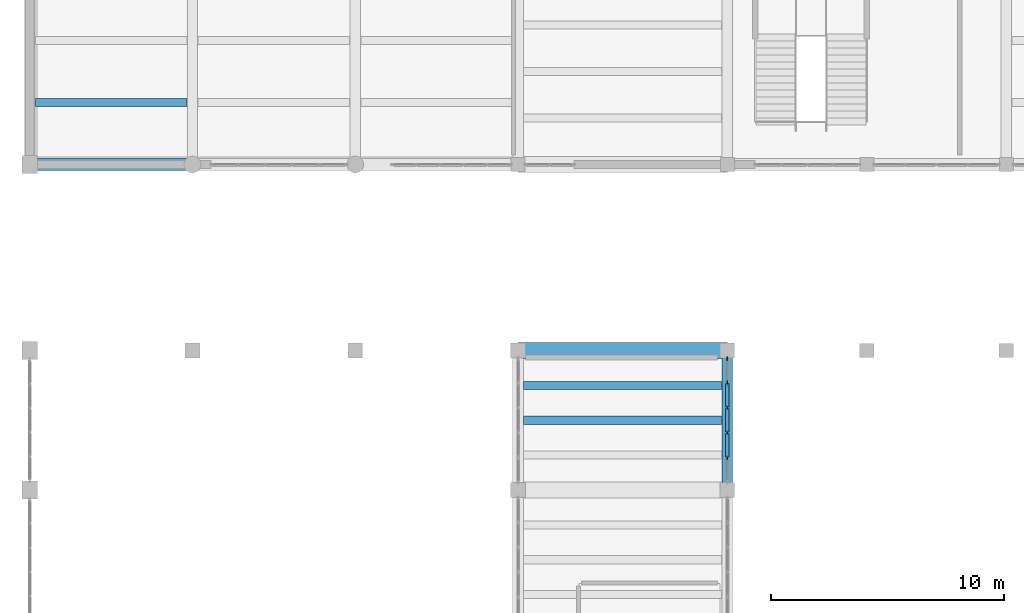
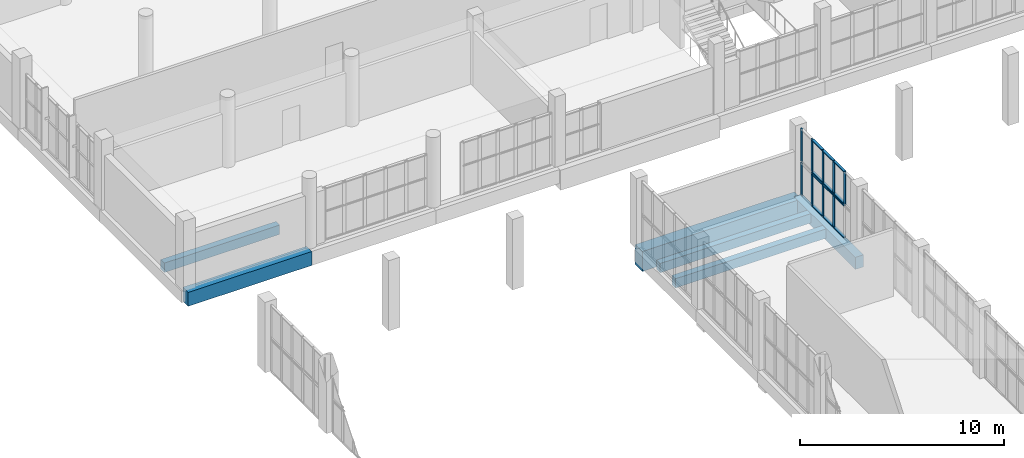
# One storey, part 19 of 85: 21 members, 6 beams, 2 elements without a shape of their own.
"""IFC4 building model written with IfcOpenShell, lengths in metres."""

from ifc_helpers import new_model, si_unit, direction, frame, origin, origin_2d, place, context, subcontext, project, spatial, rectangle, extrude, material, layer, layer_set, material_profile, profile_set, type_object, element, aggregate, save


model = new_model("IFC4")

# Units and contexts
model_context = context("Model", 3, precision=1e-05, world=origin(), true_north=direction((0.0, 1.0)))
body_context = subcontext(model_context, "Body", "Model", "MODEL_VIEW")
ifc_project = project(units=[si_unit("LENGTHUNIT", "METRE"), si_unit("AREAUNIT", "SQUARE_METRE"), si_unit("VOLUMEUNIT", "CUBIC_METRE"), si_unit("PLANEANGLEUNIT", "RADIAN"), si_unit("MASSUNIT", "GRAM", prefix="KILO")], contexts=[model_context])

# Site, building, storey
site_placement = place(None, origin())
site = spatial("IfcSite", under=ifc_project, at=site_placement, CompositionType="ELEMENT")
building_placement = place(site_placement, origin())
building = spatial("IfcBuilding", under=site, at=building_placement, Name="Solvane Community Centre", CompositionType="ELEMENT")
storey_placement = place(building_placement, frame((0.0, 0.0, 5.39990234375)))
storey = spatial("IfcBuildingStorey", under=building, at=storey_placement, Name="L01", CompositionType="ELEMENT", Elevation=5.39990234375)

# Curtain wall, members
ifc_material_1 = material(Name="Anodised bronze aluminium AW-6063 T6", Category="aluminium")
ifc_layer_1 = layer(ifc_material_1, 0.179931640625)
ifc_layer_set_1 = layer_set([ifc_layer_1], Name="Anodised bronze aluminium AW-6063 T6")
curtain_wall_type_1 = type_object("IfcCurtainWallType", Name="Hall Translucent Upper Curtain Wall [53x19dm]", PredefinedType="NOTDEFINED", material=ifc_layer_set_1)
curtain_wall_1_placement = place(storey_placement, origin())
curtain_wall_1 = element("IfcCurtainWall", 1, at=curtain_wall_1_placement, inside=storey, type_object=curtain_wall_type_1, Name="Curtain Wall CW-L01-360_723-065", PredefinedType="NOTDEFINED")
ifc_material_profile_1 = material_profile(ifc_material_1, rectangle(XDim=0.06005859375, YDim=0.179931640625, at=origin_2d()), Name="CW-M 60x180")
ifc_profile_set_1 = profile_set([ifc_material_profile_1], Name="Anodised bronze aluminium AW-6063 T6")
member_type_1 = type_object("IfcMemberType", Name="Hall Mullion 60x180", PredefinedType="MULLION", material=ifc_profile_set_1)
member_1_placement = place(storey_placement, frame((36.0, 74.466064453125, 0.0), z_axis=(0.0, 0.0, 1.0), x_axis=(-1.0, 0.0, 0.0)))
member_1 = element("IfcMember", 2, at=member_1_placement, type_object=member_type_1, Name="CW01-53x19 mullion 3", PredefinedType="MULLION", context=body_context, shape_type="SweptSolid", body=[
    extrude(rectangle(XDim=0.06005859375, YDim=0.179931640625, at=origin_2d()), origin(), (0.0, 0.0, 1.0), 1.9501953125),
])
member_2_placement = place(storey_placement, frame((36.0, 75.533935546875, 0.0), z_axis=(0.0, 0.0, 1.0), x_axis=(-1.0, 0.0, 0.0)))
member_2 = element("IfcMember", 3, at=member_2_placement, type_object=member_type_1, Name="CW01-53x19 mullion 4", PredefinedType="MULLION", context=body_context, shape_type="SweptSolid", body=[
    extrude(rectangle(XDim=0.06005859375, YDim=0.179931640625, at=origin_2d()), origin(), (0.0, 0.0, 1.0), 1.9501953125),
])
member_3_placement = place(storey_placement, frame((36.0, 76.60205078125, 0.0), z_axis=(0.0, 0.0, 1.0), x_axis=(-1.0, 0.0, 0.0)))
member_3 = element("IfcMember", 4, at=member_3_placement, type_object=member_type_1, Name="CW01-53x19 mullion 5", PredefinedType="MULLION", context=body_context, shape_type="SweptSolid", body=[
    extrude(rectangle(XDim=0.06005859375, YDim=0.179931640625, at=origin_2d()), origin(), (0.0, 0.0, 1.0), 1.9501953125),
])
member_4_placement = place(storey_placement, frame((36.0, 77.639892578125, 0.0), z_axis=(0.0, 0.0, 1.0), x_axis=(-1.0, 0.0, 0.0)))
member_4 = element("IfcMember", 5, at=member_4_placement, type_object=member_type_1, Name="CW01-53x19 mullion 6", PredefinedType="MULLION", context=body_context, shape_type="SweptSolid", body=[
    extrude(rectangle(XDim=0.06005859375, YDim=0.179931640625, at=origin_2d()), origin(), (0.0, 0.0, 1.0), 1.9501953125),
])

ifc_layer_2 = layer(ifc_material_1, 0.179931640625)
ifc_layer_set_2 = layer_set([ifc_layer_2], Name="Anodised bronze aluminium AW-6063 T6")
curtain_wall_type_2 = type_object("IfcCurtainWallType", Name="Hall Translucent Upper Curtain Wall [53x20dm]", PredefinedType="NOTDEFINED", material=ifc_layer_set_2)
curtain_wall_2_placement = place(storey_placement, origin())
curtain_wall_2 = element("IfcCurtainWall", 6, at=curtain_wall_2_placement, inside=storey, type_object=curtain_wall_type_2, Name="Curtain Wall CW-L01-360_723-066", PredefinedType="NOTDEFINED")
member_5_placement = place(storey_placement, frame((36.0, 73.39794921875, 2.02001953125), z_axis=(0.0, 0.0, 1.0), x_axis=(-1.0, 0.0, 0.0)))
member_5 = element("IfcMember", 7, at=member_5_placement, type_object=member_type_1, Name="CW01-53x20 mullion 2", PredefinedType="MULLION", context=body_context, shape_type="SweptSolid", body=[
    extrude(rectangle(XDim=0.06005859375, YDim=0.179931640625, at=origin_2d()), origin(), (0.0, 0.0, 1.0), 1.9599609375),
])
member_6_placement = place(storey_placement, frame((36.0, 74.466064453125, 2.02001953125), z_axis=(0.0, 0.0, 1.0), x_axis=(-1.0, 0.0, 0.0)))
member_6 = element("IfcMember", 8, at=member_6_placement, type_object=member_type_1, Name="CW01-53x20 mullion 3", PredefinedType="MULLION", context=body_context, shape_type="SweptSolid", body=[
    extrude(rectangle(XDim=0.06005859375, YDim=0.179931640625, at=origin_2d()), origin(), (0.0, 0.0, 1.0), 1.9599609375),
])
member_7_placement = place(storey_placement, frame((36.0, 75.533935546875, 2.02001953125), z_axis=(0.0, 0.0, 1.0), x_axis=(-1.0, 0.0, 0.0)))
member_7 = element("IfcMember", 9, at=member_7_placement, type_object=member_type_1, Name="CW01-53x20 mullion 4", PredefinedType="MULLION", context=body_context, shape_type="SweptSolid", body=[
    extrude(rectangle(XDim=0.06005859375, YDim=0.179931640625, at=origin_2d()), origin(), (0.0, 0.0, 1.0), 1.9599609375),
])
member_8_placement = place(storey_placement, frame((36.0, 76.60205078125, 2.02001953125), z_axis=(0.0, 0.0, 1.0), x_axis=(-1.0, 0.0, 0.0)))
member_8 = element("IfcMember", 10, at=member_8_placement, type_object=member_type_1, Name="CW01-53x20 mullion 5", PredefinedType="MULLION", context=body_context, shape_type="SweptSolid", body=[
    extrude(rectangle(XDim=0.06005859375, YDim=0.179931640625, at=origin_2d()), origin(), (0.0, 0.0, 1.0), 1.9599609375),
])
member_9_placement = place(storey_placement, frame((36.0, 77.639892578125, 2.02001953125), z_axis=(0.0, 0.0, 1.0), x_axis=(-1.0, 0.0, 0.0)))
member_9 = element("IfcMember", 11, at=member_9_placement, type_object=member_type_1, Name="CW01-53x20 mullion 6", PredefinedType="MULLION", context=body_context, shape_type="SweptSolid", body=[
    extrude(rectangle(XDim=0.06005859375, YDim=0.179931640625, at=origin_2d()), origin(), (0.0, 0.0, 1.0), 1.9599609375),
])

# Member
ifc_material_profile_2 = material_profile(ifc_material_1, rectangle(XDim=0.139892578125, YDim=0.06005859375, at=origin_2d()), Name="CW-T 60x140")
ifc_profile_set_2 = profile_set([ifc_material_profile_2], Name="Anodised bronze aluminium AW-6063 T6")
member_type_2 = type_object("IfcMemberType", Name="Hall Transom 60x140", PredefinedType="USERDEFINED", material=ifc_profile_set_2)
member_10_placement = place(storey_placement, frame((36.0, 73.427978515625, 0.030029296875), z_axis=(0.0, 1.0, 0.0), x_axis=(-1.0, 0.0, 0.0)))
member_10 = element("IfcMember", 12, at=member_10_placement, type_object=member_type_2, Name="CW01-53x19 transom 2.1", ObjectType="TRANSOM", PredefinedType="USERDEFINED", context=body_context, shape_type="SweptSolid", body=[
    extrude(rectangle(XDim=0.139892578125, YDim=0.06005859375, at=origin_2d()), origin(), (0.0, 0.0, 1.0), 1.008056640625),
])

member_11_placement = place(storey_placement, frame((36.0, 73.427978515625, 1.920166015625), z_axis=(0.0, 1.0, 0.0), x_axis=(-1.0, 0.0, 0.0)))
member_11 = element("IfcMember", 13, at=member_11_placement, type_object=member_type_2, Name="CW01-53x19 transom 2.2", ObjectType="TRANSOM", PredefinedType="USERDEFINED", context=body_context, shape_type="SweptSolid", body=[
    extrude(rectangle(XDim=0.139892578125, YDim=0.06005859375, at=origin_2d()), origin(), (0.0, 0.0, 1.0), 1.008056640625),
])

member_12_placement = place(storey_placement, frame((36.0, 74.49609375, 0.030029296875), z_axis=(0.0, 1.0, 0.0), x_axis=(-1.0, 0.0, 0.0)))
member_12 = element("IfcMember", 14, at=member_12_placement, type_object=member_type_2, Name="CW01-53x19 transom 3.1", ObjectType="TRANSOM", PredefinedType="USERDEFINED", context=body_context, shape_type="SweptSolid", body=[
    extrude(rectangle(XDim=0.139892578125, YDim=0.06005859375, at=origin_2d()), origin(), (0.0, 0.0, 1.0), 1.0078125),
])

member_13_placement = place(storey_placement, frame((36.0, 74.49609375, 1.920166015625), z_axis=(0.0, 1.0, 0.0), x_axis=(-1.0, 0.0, 0.0)))
member_13 = element("IfcMember", 15, at=member_13_placement, type_object=member_type_2, Name="CW01-53x19 transom 3.2", ObjectType="TRANSOM", PredefinedType="USERDEFINED", context=body_context, shape_type="SweptSolid", body=[
    extrude(rectangle(XDim=0.139892578125, YDim=0.06005859375, at=origin_2d()), origin(), (0.0, 0.0, 1.0), 1.0078125),
])

member_14_placement = place(storey_placement, frame((36.0, 75.56396484375, 0.030029296875), z_axis=(0.0, 1.0, 0.0), x_axis=(-1.0, 0.0, 0.0)))
member_14 = element("IfcMember", 16, at=member_14_placement, type_object=member_type_2, Name="CW01-53x19 transom 4.1", ObjectType="TRANSOM", PredefinedType="USERDEFINED", context=body_context, shape_type="SweptSolid", body=[
    extrude(rectangle(XDim=0.139892578125, YDim=0.06005859375, at=origin_2d()), origin(), (0.0, 0.0, 1.0), 1.008056640625),
])

member_15_placement = place(storey_placement, frame((36.0, 75.56396484375, 1.920166015625), z_axis=(0.0, 1.0, 0.0), x_axis=(-1.0, 0.0, 0.0)))
member_15 = element("IfcMember", 17, at=member_15_placement, type_object=member_type_2, Name="CW01-53x19 transom 4.2", ObjectType="TRANSOM", PredefinedType="USERDEFINED", context=body_context, shape_type="SweptSolid", body=[
    extrude(rectangle(XDim=0.139892578125, YDim=0.06005859375, at=origin_2d()), origin(), (0.0, 0.0, 1.0), 1.008056640625),
])

aggregate(curtain_wall_1, [member_1, member_2, member_3, member_4, member_10, member_11, member_12, member_13, member_14, member_15])

member_16_placement = place(storey_placement, frame((36.0, 73.427978515625, 2.050048828125), z_axis=(0.0, 1.0, 0.0), x_axis=(-1.0, 0.0, 0.0)))
member_16 = element("IfcMember", 18, at=member_16_placement, type_object=member_type_2, Name="CW01-53x20 transom 2.1", ObjectType="TRANSOM", PredefinedType="USERDEFINED", context=body_context, shape_type="SweptSolid", body=[
    extrude(rectangle(XDim=0.139892578125, YDim=0.06005859375, at=origin_2d()), origin(), (0.0, 0.0, 1.0), 1.008056640625),
])

member_17_placement = place(storey_placement, frame((36.0, 73.427978515625, 3.9501953125), z_axis=(0.0, 1.0, 0.0), x_axis=(-1.0, 0.0, 0.0)))
member_17 = element("IfcMember", 19, at=member_17_placement, type_object=member_type_2, Name="CW01-53x20 transom 2.2", ObjectType="TRANSOM", PredefinedType="USERDEFINED", context=body_context, shape_type="SweptSolid", body=[
    extrude(rectangle(XDim=0.139892578125, YDim=0.06005859375, at=origin_2d()), origin(), (0.0, 0.0, 1.0), 1.008056640625),
])

member_18_placement = place(storey_placement, frame((36.0, 74.49609375, 2.050048828125), z_axis=(0.0, 1.0, 0.0), x_axis=(-1.0, 0.0, 0.0)))
member_18 = element("IfcMember", 20, at=member_18_placement, type_object=member_type_2, Name="CW01-53x20 transom 3.1", ObjectType="TRANSOM", PredefinedType="USERDEFINED", context=body_context, shape_type="SweptSolid", body=[
    extrude(rectangle(XDim=0.139892578125, YDim=0.06005859375, at=origin_2d()), origin(), (0.0, 0.0, 1.0), 1.0078125),
])

member_19_placement = place(storey_placement, frame((36.0, 74.49609375, 3.9501953125), z_axis=(0.0, 1.0, 0.0), x_axis=(-1.0, 0.0, 0.0)))
member_19 = element("IfcMember", 21, at=member_19_placement, type_object=member_type_2, Name="CW01-53x20 transom 3.2", ObjectType="TRANSOM", PredefinedType="USERDEFINED", context=body_context, shape_type="SweptSolid", body=[
    extrude(rectangle(XDim=0.139892578125, YDim=0.06005859375, at=origin_2d()), origin(), (0.0, 0.0, 1.0), 1.0078125),
])

member_20_placement = place(storey_placement, frame((36.0, 75.56396484375, 2.050048828125), z_axis=(0.0, 1.0, 0.0), x_axis=(-1.0, 0.0, 0.0)))
member_20 = element("IfcMember", 22, at=member_20_placement, type_object=member_type_2, Name="CW01-53x20 transom 4.1", ObjectType="TRANSOM", PredefinedType="USERDEFINED", context=body_context, shape_type="SweptSolid", body=[
    extrude(rectangle(XDim=0.139892578125, YDim=0.06005859375, at=origin_2d()), origin(), (0.0, 0.0, 1.0), 1.008056640625),
])

member_21_placement = place(storey_placement, frame((36.0, 75.56396484375, 3.9501953125), z_axis=(0.0, 1.0, 0.0), x_axis=(-1.0, 0.0, 0.0)))
member_21 = element("IfcMember", 23, at=member_21_placement, type_object=member_type_2, Name="CW01-53x20 transom 4.2", ObjectType="TRANSOM", PredefinedType="USERDEFINED", context=body_context, shape_type="SweptSolid", body=[
    extrude(rectangle(XDim=0.139892578125, YDim=0.06005859375, at=origin_2d()), origin(), (0.0, 0.0, 1.0), 1.008056640625),
])

aggregate(curtain_wall_2, [member_5, member_6, member_7, member_8, member_9, member_16, member_17, member_18, member_19, member_20, member_21])

# Beams
ifc_material_2 = material(Name="Concrete C35/45", Category="concrete")
ifc_material_profile_3 = material_profile(ifc_material_2, rectangle(XDim=0.4599609375, YDim=0.719970703125, at=origin_2d()), Name="RC 460x720")
ifc_profile_set_3 = profile_set([ifc_material_profile_3], Name="Concrete C35/45")
beam_type_1 = type_object("IfcBeamType", Name="RC Cloister Beam 460x720", PredefinedType="BEAM", material=ifc_profile_set_3)
beam_1_placement = place(storey_placement, frame((36.0, 72.0, -0.599853515625), z_axis=(0.0, 1.0, 0.0), x_axis=(-1.0, 0.0, 0.0)))
element("IfcBeam", 24, at=beam_1_placement, inside=storey, type_object=beam_type_1, Name="Beam BM-L01-360_720-360_780", PredefinedType="BEAM", context=body_context, shape_type="SweptSolid", body=[
    extrude(rectangle(XDim=0.4599609375, YDim=0.719970703125, at=origin_2d()), origin(), (0.0, 0.0, 1.0), 6.0),
])
ifc_material_profile_4 = material_profile(ifc_material_2, rectangle(XDim=0.52001953125, YDim=0.830078125, at=origin_2d()), Name="RC 520x830")
ifc_profile_set_4 = profile_set([ifc_material_profile_4], Name="Concrete C35/45")
beam_type_2 = type_object("IfcBeamType", Name="RC Medium Girder 520x830", PredefinedType="USERDEFINED", material=ifc_profile_set_4)
beam_2_placement = place(storey_placement, frame((6.0, 86.0, -0.65478515625), z_axis=(1.0, 0.0, 0.0), x_axis=(0.0, 1.0, 0.0)))
element("IfcBeam", 25, at=beam_2_placement, inside=storey, type_object=beam_type_2, Name="Beam BM-L01-60_860-130_860", ObjectType="GIRDER", PredefinedType="USERDEFINED", context=body_context, shape_type="SweptSolid", body=[
    extrude(rectangle(XDim=0.52001953125, YDim=0.830078125, at=origin_2d()), origin(), (0.0, 0.0, 1.0), 7.0),
])
ifc_material_profile_5 = material_profile(ifc_material_2, rectangle(XDim=0.35009765625, YDim=0.550048828125, at=origin_2d()), Name="RC 350x550")
ifc_profile_set_5 = profile_set([ifc_material_profile_5], Name="Concrete C35/45")
beam_type_3 = type_object("IfcBeamType", Name="RC Secondary Joist 350x550", PredefinedType="JOIST", material=ifc_profile_set_5)
for number, where, z_axis, x_axis, name in (
    (26, (27.239990234375, 75.0, -0.514892578125), (1.0, 0.0, 0.0), (0.0, 1.0, 0.0), "Beam BM-L01-272_750-358_750"),
    (27, (27.239990234375, 76.5, -0.514892578125), (1.0, 0.0, 0.0), (0.0, 1.0, 0.0), "Beam BM-L01-272_765-358_765"),
):
    element("IfcBeam", number, at=place(storey_placement, frame(where, z_axis=z_axis, x_axis=x_axis)), inside=storey, type_object=beam_type_3, Name=name, PredefinedType="JOIST", context=body_context, shape_type="SweptSolid", body=[
        extrude(rectangle(XDim=0.35009765625, YDim=0.550048828125, at=origin_2d()), origin(), (0.0, 0.0, 1.0), 8.52001953125),
    ])
ifc_material_profile_6 = material_profile(ifc_material_2, rectangle(XDim=0.360107421875, YDim=0.56005859375, at=origin_2d()), Name="RC 360x560")
ifc_profile_set_6 = profile_set([ifc_material_profile_6], Name="Concrete C35/45")
beam_type_4 = type_object("IfcBeamType", Name="RC Terrace Joist 360x560", PredefinedType="JOIST", material=ifc_profile_set_6)
beam_3_placement = place(storey_placement, frame((6.239990234375, 88.666748046875, -0.52001953125), z_axis=(1.0, 0.0, 0.0), x_axis=(0.0, 1.0, 0.0)))
element("IfcBeam", 28, at=beam_3_placement, inside=storey, type_object=beam_type_4, Name="Beam BM-L01-62_887-128_887", PredefinedType="JOIST", context=body_context, shape_type="SweptSolid", body=[
    extrude(rectangle(XDim=0.360107421875, YDim=0.56005859375, at=origin_2d()), origin(), (0.0, 0.0, 1.0), 6.52001953125),
])
ifc_material_profile_7 = material_profile(ifc_material_2, rectangle(XDim=0.699951171875, YDim=1.199951171875, at=origin_2d()), Name="RC 700x1200")
ifc_profile_set_7 = profile_set([ifc_material_profile_7], Name="Concrete C35/45")
beam_type_5 = type_object("IfcBeamType", Name="RC Transfer Girder 700x1200", PredefinedType="USERDEFINED", material=ifc_profile_set_7)
beam_4_placement = place(storey_placement, frame((27.0, 78.0, -0.83984375), z_axis=(1.0, 0.0, 0.0), x_axis=(0.0, 1.0, 0.0)))
element("IfcBeam", 29, at=beam_4_placement, inside=storey, type_object=beam_type_5, Name="Beam BM-L01-270_780-360_780", ObjectType="GIRDER", PredefinedType="USERDEFINED", context=body_context, shape_type="SweptSolid", body=[
    extrude(rectangle(XDim=0.699951171875, YDim=1.199951171875, at=origin_2d()), origin(), (0.0, 0.0, 1.0), 9.0),
])

save(model, "model.ifc")
